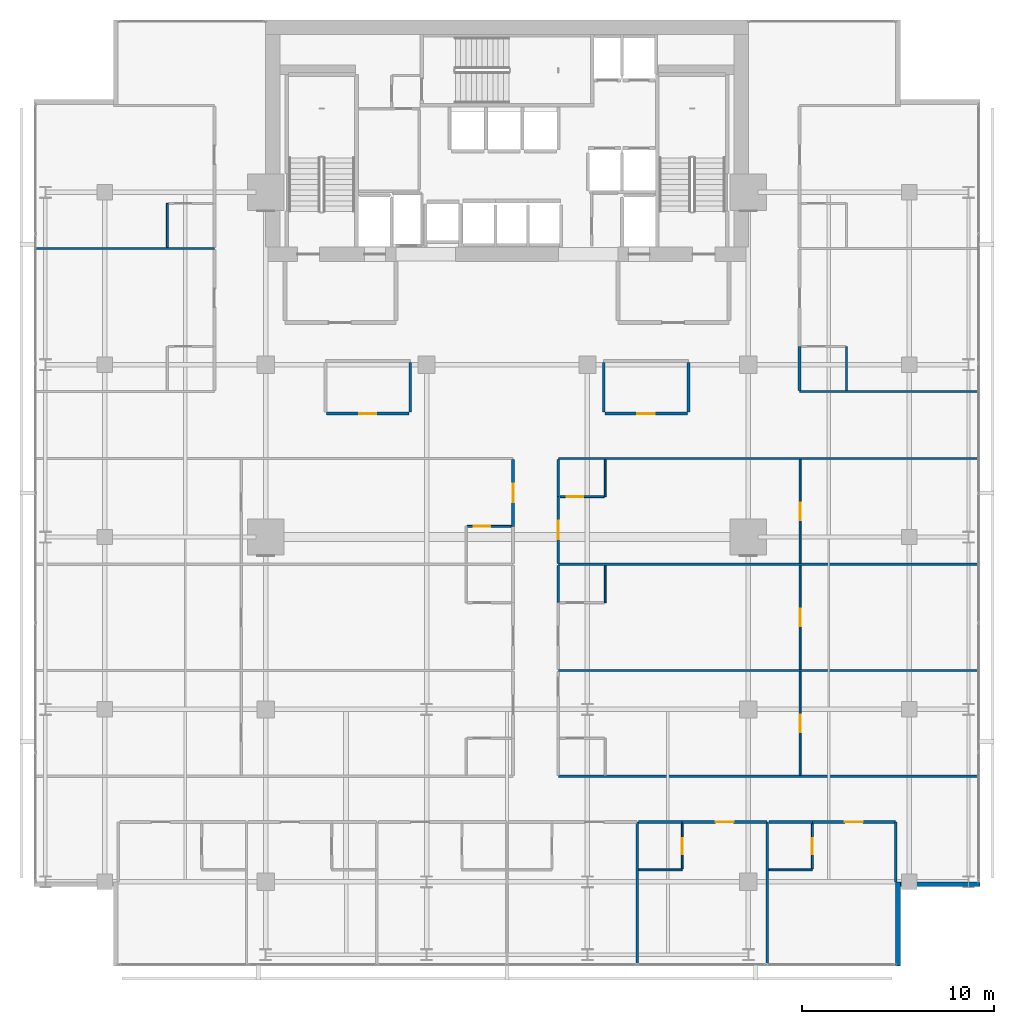
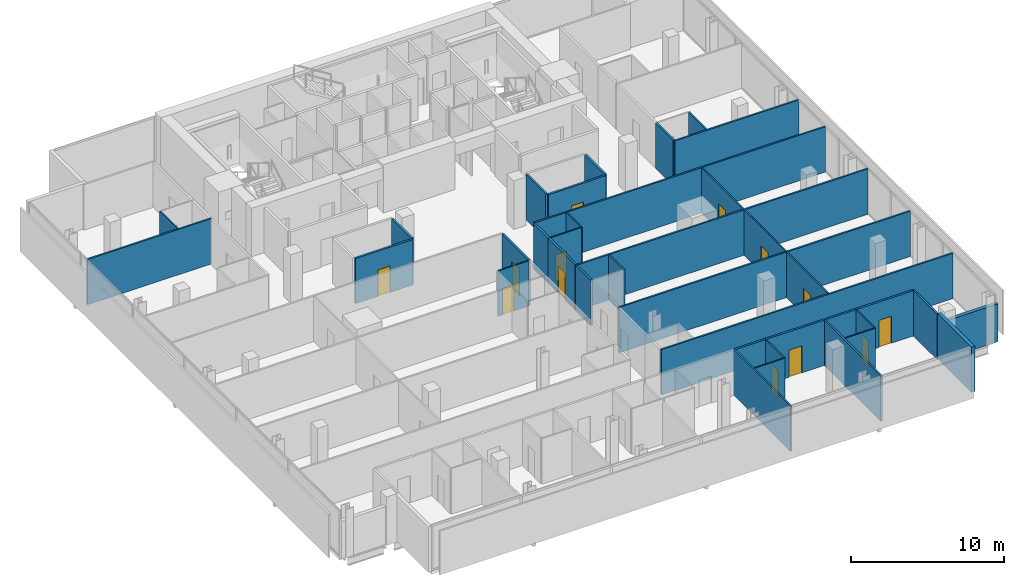
# One storey, part 28 of 33: 38 walls, 13 doors, 13 openings.
"""IFC4 building model written with IfcOpenShell, lengths in metres."""

from ifc_helpers import new_model, si_unit, direction, frame, frame_2d, origin, place, context, subcontext, project, spatial, rectangle, extrude, material, layer, layer_set, type_object, element, fill, save


model = new_model("IFC4")

# Units and contexts
model_context = context("Model", 3, precision=1e-05, world=origin(), true_north=direction((0.0, 1.0)))
body_context = subcontext(model_context, "Body", "Model", "MODEL_VIEW")
ifc_project = project(units=[si_unit("LENGTHUNIT", "METRE"), si_unit("AREAUNIT", "SQUARE_METRE"), si_unit("VOLUMEUNIT", "CUBIC_METRE"), si_unit("PLANEANGLEUNIT", "RADIAN"), si_unit("MASSUNIT", "GRAM", prefix="KILO")], contexts=[model_context])

# Site, building, storey
site_placement = place(None, origin())
site = spatial("IfcSite", under=ifc_project, at=site_placement, CompositionType="ELEMENT")
building_placement = place(site_placement, origin())
building = spatial("IfcBuilding", under=site, at=building_placement, Name="Maruvema Waterfront Hotel and Observation Tower", CompositionType="ELEMENT")
storey_placement = place(building_placement, frame((0.0, 0.0, 154.35009765625)))
storey = spatial("IfcBuildingStorey", under=building, at=storey_placement, Name="L37", CompositionType="ELEMENT", Elevation=154.35009765625)

# Wall
ifc_material_1 = material(Name="Twin-stud acoustic gypsum drywall", Category="gypsum")
ifc_layer_1 = layer(ifc_material_1, 0.14990234375, Name="Acoustic Corridor and Suite Demising Wall 150 mm")
ifc_layer_set_1 = layer_set([ifc_layer_1], Name="Twin-stud acoustic gypsum drywall")
wall_type_1 = type_object("IfcWallType", Name="Acoustic Corridor and Suite Demising Wall 150 mm", PredefinedType="PARTITIONING", material=ifc_layer_set_1)
wall_1_placement = place(storey_placement, frame((32.75, 33.530029296875, 0.0), z_axis=(0.0, 0.0, 1.0), x_axis=(0.0, 1.0, 0.0)))
element("IfcWall", 1, at=wall_1_placement, inside=storey, type_object=wall_type_1, Name="L37 L37-M1 East Wall 019", PredefinedType="PARTITIONING", context=body_context, shape_type="SweptSolid", body=[
    extrude(rectangle(XDim=2.590087890625, YDim=0.14990234375, at=frame_2d((1.294921875, 0.0))), origin(), (0.0, 0.0, 1.0), 3.60986328125),
])

# Wall, opening, door
wall_2_placement = place(storey_placement, frame((28.3798828125, 33.449951171875, 0.0), z_axis=(0.0, 0.0, 1.0), x_axis=(1.0, 0.0, 0.0)))
wall_2 = element("IfcWall", 2, at=wall_2_placement, inside=storey, type_object=wall_type_1, Name="L37 L37-M1 Front 1 020", PredefinedType="PARTITIONING", context=body_context, shape_type="SweptSolid", body=[
    extrude(rectangle(XDim=4.31005859375, YDim=0.14990234375, at=frame_2d((2.155029296875, 0.0))), origin(), (0.0, 0.0, 1.0), 3.60986328125),
])
opening_1_placement = place(wall_2_placement, frame((1.705078125, 0.0, 0.0)))
opening_1 = element("IfcOpeningElement", 3, at=opening_1_placement, cuts=wall_2, Name="Opening DR-090", PredefinedType="OPENING", context=body_context, shape_type="SweptSolid", body=[
    extrude(rectangle(XDim=0.89990234375, YDim=2.10009765625, at=frame_2d((0.449951171875, 1.050048828125))), frame((0.0, 0.0849609375, 0.0), z_axis=(0.0, -1.0, 0.0), x_axis=(1.0, 0.0, 0.0)), (0.0, 0.0, 1.0), 0.169921875),
])
ifc_material_2 = material(Name="Solid-core lacquered timber leaf", Category="wood")
door_type_1 = type_object("IfcDoorType", Name="Accessible Toilet and Room Door 900x2100 mm", OperationType="NOTDEFINED", PredefinedType="DOOR", material=ifc_material_2)
door_1_placement = place(opening_1_placement, frame((0.89990234375, 0.0, 0.0), z_axis=(0.0, 0.0, 1.0), x_axis=(-1.0, 0.0, 0.0)))
door_1 = element("IfcDoor", 4, at=door_1_placement, inside=storey, type_object=door_type_1, Name="L37 Study Office 1 Door", OperationType="SINGLE_SWING_LEFT", OverallHeight=2.10009765625, OverallWidth=0.89990234375, PredefinedType="DOOR", context=body_context, shape_type="SweptSolid", body=[
    extrude(rectangle(XDim=0.89990234375, YDim=2.10009765625, at=frame_2d((0.449951171875, 1.050048828125))), frame((0.0, 0.02490234375, 0.0), z_axis=(0.0, -1.0, 0.0), x_axis=(1.0, 0.0, 0.0)), (0.0, 0.0, 1.0), 0.050048828125),
])
fill(opening_1, door_1)

# Walls
for number, where, z_axis, x_axis, name in (
    (5, (42.85009765625, 33.530029296875, 0.0), (0.0, 0.0, 1.0), (0.0, 1.0, 0.0), "L37 L37-M2 West Wall 022"),
    (6, (47.280029296875, 33.530029296875, 0.0), (0.0, 0.0, 1.0), (0.0, 1.0, 0.0), "L37 L37-M2 East Wall 023"),
):
    element("IfcWall", number, at=place(storey_placement, frame(where, z_axis=z_axis, x_axis=x_axis)), inside=storey, type_object=wall_type_1, Name=name, PredefinedType="PARTITIONING", context=body_context, shape_type="SweptSolid", body=[
        extrude(rectangle(XDim=2.590087890625, YDim=0.14990234375, at=frame_2d((1.294921875, 0.0))), origin(), (0.0, 0.0, 1.0), 3.60986328125),
    ])

# Wall, opening, door
wall_3_placement = place(storey_placement, frame((42.909912109375, 33.449951171875, 0.0), z_axis=(0.0, 0.0, 1.0), x_axis=(1.0, 0.0, 0.0)))
wall_3 = element("IfcWall", 7, at=wall_3_placement, inside=storey, type_object=wall_type_1, Name="L37 L37-M2 Front 1 024", PredefinedType="PARTITIONING", context=body_context, shape_type="SweptSolid", body=[
    extrude(rectangle(XDim=4.31005859375, YDim=0.14990234375, at=frame_2d((2.155029296875, 0.0))), origin(), (0.0, 0.0, 1.0), 3.60986328125),
])
opening_2_placement = place(wall_3_placement, frame((1.705078125, 0.0, 0.0)))
opening_2 = element("IfcOpeningElement", 8, at=opening_2_placement, cuts=wall_3, Name="Opening DR-090", PredefinedType="OPENING", context=body_context, shape_type="SweptSolid", body=[
    extrude(rectangle(XDim=0.89990234375, YDim=2.10009765625, at=frame_2d((0.449951171875, 1.050048828125))), frame((0.0, 0.0849609375, 0.0), z_axis=(0.0, -1.0, 0.0), x_axis=(1.0, 0.0, 0.0)), (0.0, 0.0, 1.0), 0.169921875),
])
door_2_placement = place(opening_2_placement, frame((0.89990234375, 0.0, 0.0), z_axis=(0.0, 0.0, 1.0), x_axis=(-1.0, 0.0, 0.0)))
door_2 = element("IfcDoor", 9, at=door_2_placement, inside=storey, type_object=door_type_1, Name="L37 Tea Kitchenette Door", OperationType="SINGLE_SWING_RIGHT", OverallHeight=2.10009765625, OverallWidth=0.89990234375, PredefinedType="DOOR", context=body_context, shape_type="SweptSolid", body=[
    extrude(rectangle(XDim=0.89990234375, YDim=2.10009765625, at=frame_2d((0.449951171875, 1.050048828125))), frame((0.0, 0.02490234375, 0.0), z_axis=(0.0, -1.0, 0.0), x_axis=(1.0, 0.0, 0.0)), (0.0, 0.0, 1.0), 0.050048828125),
])
fill(opening_2, door_2)

# Wall
wall_4_placement = place(storey_placement, frame((44.679931640625, 12.1201171875, 0.0), z_axis=(0.0, 0.0, 1.0), x_axis=(1.0, 0.0, 0.0)))
element("IfcWall", 10, at=wall_4_placement, inside=storey, type_object=wall_type_1, Name="L37 Bath L37-S5 Back Wall 047", PredefinedType="PARTITIONING", context=body_context, shape_type="SweptSolid", body=[
    extrude(rectangle(XDim=2.27001953125, YDim=0.14990234375, at=frame_2d((1.135009765625, 0.0))), origin(), (0.0, 0.0, 1.0), 3.60986328125),
])

# Wall, opening, door
wall_5_placement = place(storey_placement, frame((46.949951171875, 12.1201171875, 0.0), z_axis=(0.0, 0.0, 1.0), x_axis=(1.0, 0.0, 0.0)))
wall_5 = element("IfcWall", 11, at=wall_5_placement, inside=storey, type_object=wall_type_1, Name="L37 Unit L37-S5 Corridor Wall 050", PredefinedType="PARTITIONING", context=body_context, shape_type="SweptSolid", body=[
    extrude(rectangle(XDim=4.429931640625, YDim=0.14990234375, at=frame_2d((2.21484375, 0.0))), origin(), (0.0, 0.0, 1.0), 3.60986328125),
])
opening_3_placement = place(wall_5_placement, frame((1.739990234375, 0.0, 0.0)))
opening_3 = element("IfcOpeningElement", 12, at=opening_3_placement, cuts=wall_5, Name="Opening DR-095", PredefinedType="OPENING", context=body_context, shape_type="SweptSolid", body=[
    extrude(rectangle(XDim=0.949951171875, YDim=2.14990234375, at=frame_2d((0.47509765625, 1.074951171875))), frame((0.0, 0.0849609375, 0.0), z_axis=(0.0, -1.0, 0.0), x_axis=(1.0, 0.0, 0.0)), (0.0, 0.0, 1.0), 0.169921875),
])
ifc_material_3 = material(Name="Acoustic solid-core hardwood timber leaf", Category="wood")
door_type_2 = type_object("IfcDoorType", Name="Guestroom Entrance Fire Door 950x2150 mm", OperationType="NOTDEFINED", PredefinedType="DOOR", material=ifc_material_3)
door_3_placement = place(opening_3_placement, frame((0.949951171875, 0.0, 0.0), z_axis=(0.0, 0.0, 1.0), x_axis=(-1.0, 0.0, 0.0)))
door_3 = element("IfcDoor", 13, at=door_3_placement, inside=storey, type_object=door_type_2, Name="L37 Unit L37-S5 Entrance Door", OperationType="SINGLE_SWING_RIGHT", OverallHeight=2.14990234375, OverallWidth=0.949951171875, PredefinedType="DOOR", context=body_context, shape_type="SweptSolid", body=[
    extrude(rectangle(XDim=0.949951171875, YDim=2.14990234375, at=frame_2d((0.47509765625, 1.074951171875))), frame((0.0, 0.02490234375, 0.0), z_axis=(0.0, -1.0, 0.0), x_axis=(1.0, 0.0, 0.0)), (0.0, 0.0, 1.0), 0.050048828125),
])
fill(opening_3, door_3)

# Wall
wall_6_placement = place(storey_placement, frame((51.47998046875, 12.1201171875, 0.0), z_axis=(0.0, 0.0, 1.0), x_axis=(1.0, 0.0, 0.0)))
element("IfcWall", 14, at=wall_6_placement, inside=storey, type_object=wall_type_1, Name="L37 Bath L37-S6 Back Wall 052", PredefinedType="PARTITIONING", context=body_context, shape_type="SweptSolid", body=[
    extrude(rectangle(XDim=2.27001953125, YDim=0.14990234375, at=frame_2d((1.135009765625, 0.0))), origin(), (0.0, 0.0, 1.0), 3.60986328125),
])

# Wall, opening, door
wall_7_placement = place(storey_placement, frame((53.75, 12.1201171875, 0.0), z_axis=(0.0, 0.0, 1.0), x_axis=(1.0, 0.0, 0.0)))
wall_7 = element("IfcWall", 15, at=wall_7_placement, inside=storey, type_object=wall_type_1, Name="L37 Unit L37-S6 Corridor Wall 055", PredefinedType="PARTITIONING", context=body_context, shape_type="SweptSolid", body=[
    extrude(rectangle(XDim=4.330078125, YDim=0.14990234375, at=frame_2d((2.1650390625, 0.0))), origin(), (0.0, 0.0, 1.0), 3.60986328125),
])
opening_4_placement = place(wall_7_placement, frame((1.68994140625, 0.0, 0.0)))
opening_4 = element("IfcOpeningElement", 16, at=opening_4_placement, cuts=wall_7, Name="Opening DR-095", PredefinedType="OPENING", context=body_context, shape_type="SweptSolid", body=[
    extrude(rectangle(XDim=0.949951171875, YDim=2.14990234375, at=frame_2d((0.47509765625, 1.074951171875))), frame((0.0, 0.0849609375, 0.0), z_axis=(0.0, -1.0, 0.0), x_axis=(1.0, 0.0, 0.0)), (0.0, 0.0, 1.0), 0.169921875),
])
door_4_placement = place(opening_4_placement, frame((0.949951171875, 0.0, 0.0), z_axis=(0.0, 0.0, 1.0), x_axis=(-1.0, 0.0, 0.0)))
door_4 = element("IfcDoor", 17, at=door_4_placement, inside=storey, type_object=door_type_2, Name="L37 Unit L37-S6 Entrance Door", OperationType="SINGLE_SWING_RIGHT", OverallHeight=2.14990234375, OverallWidth=0.949951171875, PredefinedType="DOOR", context=body_context, shape_type="SweptSolid", body=[
    extrude(rectangle(XDim=0.949951171875, YDim=2.14990234375, at=frame_2d((0.47509765625, 1.074951171875))), frame((0.0, 0.02490234375, 0.0), z_axis=(0.0, -1.0, 0.0), x_axis=(1.0, 0.0, 0.0)), (0.0, 0.0, 1.0), 0.050048828125),
])
fill(opening_4, door_4)

# Wall
wall_8_placement = place(storey_placement, frame((40.47998046875, 23.580078125, 0.0), z_axis=(0.0, 0.0, 1.0), x_axis=(0.0, 1.0, 0.0)))
element("IfcWall", 18, at=wall_8_placement, inside=storey, type_object=wall_type_1, Name="L37 Bath L37-E2 Wall 078", PredefinedType="PARTITIONING", context=body_context, shape_type="SweptSolid", body=[
    extrude(rectangle(XDim=1.929931640625, YDim=0.14990234375, at=frame_2d((0.96484375, 0.0))), origin(), (0.0, 0.0, 1.0), 3.60986328125),
])

# Wall, opening, door
wall_9_placement = place(storey_placement, frame((38.1201171875, 27.56005859375, 0.0), z_axis=(0.0, 0.0, 1.0), x_axis=(0.0, 1.0, 0.0)))
wall_9 = element("IfcWall", 19, at=wall_9_placement, inside=storey, type_object=wall_type_1, Name="L37 Room L37-W3 Corridor Wall 085", PredefinedType="PARTITIONING", context=body_context, shape_type="SweptSolid", body=[
    extrude(rectangle(XDim=3.47998046875, YDim=0.14990234375, at=frame_2d((1.739990234375, 0.0))), origin(), (0.0, 0.0, 1.0), 3.60986328125),
])
opening_5_placement = place(wall_9_placement, frame((1.264892578125, 0.0, 0.0)))
opening_5 = element("IfcOpeningElement", 20, at=opening_5_placement, cuts=wall_9, Name="Opening DR-095", PredefinedType="OPENING", context=body_context, shape_type="SweptSolid", body=[
    extrude(rectangle(XDim=0.949951171875, YDim=2.14990234375, at=frame_2d((0.47509765625, 1.074951171875))), frame((0.0, 0.0849609375, 0.0), z_axis=(0.0, -1.0, 0.0), x_axis=(1.0, 0.0, 0.0)), (0.0, 0.0, 1.0), 0.169921875),
])
door_5_placement = place(opening_5_placement, origin())
door_5 = element("IfcDoor", 21, at=door_5_placement, inside=storey, type_object=door_type_2, Name="L37 Room L37-W3 Entrance Door", OperationType="SINGLE_SWING_RIGHT", OverallHeight=2.14990234375, OverallWidth=0.949951171875, PredefinedType="DOOR", context=body_context, shape_type="SweptSolid", body=[
    extrude(rectangle(XDim=0.949951171875, YDim=2.14990234375, at=frame_2d((0.47509765625, 1.074951171875))), frame((0.0, 0.02490234375, 0.0), z_axis=(0.0, -1.0, 0.0), x_axis=(1.0, 0.0, 0.0)), (0.0, 0.0, 1.0), 0.050048828125),
])
fill(opening_5, door_5)

wall_10_placement = place(storey_placement, frame((40.47998046875, 25.6298828125, 0.0), z_axis=(0.0, 0.0, 1.0), x_axis=(0.0, 1.0, 0.0)))
wall_10 = element("IfcWall", 22, at=wall_10_placement, inside=storey, type_object=wall_type_1, Name="L37 Room L37-E3 Corridor Wall 089", PredefinedType="PARTITIONING", context=body_context, shape_type="SweptSolid", body=[
    extrude(rectangle(XDim=3.480224609375, YDim=0.14990234375, at=frame_2d((1.740234375, 0.0))), origin(), (0.0, 0.0, 1.0), 3.60986328125),
])
opening_6_placement = place(wall_10_placement, frame((1.264892578125, 0.0, 0.0)))
opening_6 = element("IfcOpeningElement", 23, at=opening_6_placement, cuts=wall_10, Name="Opening DR-095", PredefinedType="OPENING", context=body_context, shape_type="SweptSolid", body=[
    extrude(rectangle(XDim=0.949951171875, YDim=2.14990234375, at=frame_2d((0.47509765625, 1.074951171875))), frame((0.0, 0.0849609375, 0.0), z_axis=(0.0, -1.0, 0.0), x_axis=(1.0, 0.0, 0.0)), (0.0, 0.0, 1.0), 0.169921875),
])
door_6_placement = place(opening_6_placement, frame((0.949951171875, 0.0, 0.0), z_axis=(0.0, 0.0, 1.0), x_axis=(-1.0, 0.0, 0.0)))
door_6 = element("IfcDoor", 24, at=door_6_placement, inside=storey, type_object=door_type_2, Name="L37 Room L37-E3 Entrance Door", OperationType="SINGLE_SWING_LEFT", OverallHeight=2.14990234375, OverallWidth=0.949951171875, PredefinedType="DOOR", context=body_context, shape_type="SweptSolid", body=[
    extrude(rectangle(XDim=0.949951171875, YDim=2.14990234375, at=frame_2d((0.47509765625, 1.074951171875))), frame((0.0, 0.02490234375, 0.0), z_axis=(0.0, -1.0, 0.0), x_axis=(1.0, 0.0, 0.0)), (0.0, 0.0, 1.0), 0.050048828125),
])
fill(opening_6, door_6)

# Walls
wall_11_placement = place(storey_placement, frame((40.47998046875, 29.110107421875, 0.0), z_axis=(0.0, 0.0, 1.0), x_axis=(0.0, 1.0, 0.0)))
element("IfcWall", 25, at=wall_11_placement, inside=storey, type_object=wall_type_1, Name="L37 Bath L37-E3 Wall 090", PredefinedType="PARTITIONING", context=body_context, shape_type="SweptSolid", body=[
    extrude(rectangle(XDim=1.929931640625, YDim=0.14990234375, at=frame_2d((0.96484375, 0.0))), origin(), (0.0, 0.0, 1.0), 3.60986328125),
])
wall_12_placement = place(storey_placement, frame((53.080078125, 34.659912109375, 0.0), z_axis=(0.0, 0.0, 1.0), x_axis=(0.0, 1.0, 0.0)))
element("IfcWall", 26, at=wall_12_placement, inside=storey, type_object=wall_type_1, Name="L37 Bath L37-NE1 Wall 102", PredefinedType="PARTITIONING", context=body_context, shape_type="SweptSolid", body=[
    extrude(rectangle(XDim=2.2900390625, YDim=0.14990234375, at=frame_2d((1.14501953125, 0.0))), origin(), (0.0, 0.0, 1.0), 3.60986328125),
])
ifc_material_4 = material(Name="Moisture-resistant cement-board drywall", Category="gypsum")
ifc_layer_2 = layer(ifc_material_4, 0.10009765625, Name="En-Suite Moisture-Resistant Partition 100 mm")
ifc_layer_set_2 = layer_set([ifc_layer_2], Name="Moisture-resistant cement-board drywall")
wall_type_2 = type_object("IfcWallType", Name="En-Suite Moisture-Resistant Partition 100 mm", PredefinedType="PARTITIONING", material=ifc_layer_set_2)
wall_13_placement = place(storey_placement, frame((44.679931640625, 9.6201171875, 0.0), z_axis=(0.0, 0.0, 1.0), x_axis=(1.0, 0.0, 0.0)))
element("IfcWall", 27, at=wall_13_placement, inside=storey, type_object=wall_type_2, Name="L37 En-Suite L37-S5 South 048", PredefinedType="PARTITIONING", context=body_context, shape_type="SweptSolid", body=[
    extrude(rectangle(XDim=2.27001953125, YDim=0.10009765625, at=frame_2d((1.135009765625, 0.0))), origin(), (0.0, 0.0, 1.0), 3.60986328125),
])

# Wall, opening, door
wall_14_placement = place(storey_placement, frame((46.949951171875, 9.679931640625, 0.0), z_axis=(0.0, 0.0, 1.0), x_axis=(0.0, 1.0, 0.0)))
wall_14 = element("IfcWall", 28, at=wall_14_placement, inside=storey, type_object=wall_type_2, Name="L37 En-Suite L37-S5 East 049", PredefinedType="PARTITIONING", context=body_context, shape_type="SweptSolid", body=[
    extrude(rectangle(XDim=2.340087890625, YDim=0.10009765625, at=frame_2d((1.169921875, 0.0))), origin(), (0.0, 0.0, 1.0), 3.60986328125),
])
opening_7_placement = place(wall_14_placement, frame((0.7451171875, 0.0, 0.0)))
opening_7 = element("IfcOpeningElement", 29, at=opening_7_placement, cuts=wall_14, Name="Opening DR-085", PredefinedType="OPENING", context=body_context, shape_type="SweptSolid", body=[
    extrude(rectangle(XDim=0.85009765625, YDim=2.10009765625, at=frame_2d((0.425048828125, 1.050048828125))), frame((0.0, 0.06005859375, 0.0), z_axis=(0.0, -1.0, 0.0), x_axis=(1.0, 0.0, 0.0)), (0.0, 0.0, 1.0), 0.1201171875),
])
ifc_material_5 = material(Name="Moisture-resistant solid timber leaf", Category="wood")
door_type_3 = type_object("IfcDoorType", Name="En-Suite Bathroom Door 850x2100 mm", OperationType="NOTDEFINED", PredefinedType="DOOR", material=ifc_material_5)
door_7_placement = place(opening_7_placement, frame((0.85009765625, 0.0, 0.0), z_axis=(0.0, 0.0, 1.0), x_axis=(-1.0, 0.0, 0.0)))
door_7 = element("IfcDoor", 30, at=door_7_placement, inside=storey, type_object=door_type_3, Name="L37 En-Suite L37-S5 Door", OperationType="SINGLE_SWING_LEFT", OverallHeight=2.10009765625, OverallWidth=0.85009765625, PredefinedType="DOOR", context=body_context, shape_type="SweptSolid", body=[
    extrude(rectangle(XDim=0.85009765625, YDim=2.10009765625, at=frame_2d((0.425048828125, 1.050048828125))), frame((0.0, 0.02490234375, 0.0), z_axis=(0.0, -1.0, 0.0), x_axis=(1.0, 0.0, 0.0)), (0.0, 0.0, 1.0), 0.050048828125),
])
fill(opening_7, door_7)

# Wall
wall_15_placement = place(storey_placement, frame((51.47998046875, 9.6201171875, 0.0), z_axis=(0.0, 0.0, 1.0), x_axis=(1.0, 0.0, 0.0)))
element("IfcWall", 31, at=wall_15_placement, inside=storey, type_object=wall_type_2, Name="L37 En-Suite L37-S6 South 053", PredefinedType="PARTITIONING", context=body_context, shape_type="SweptSolid", body=[
    extrude(rectangle(XDim=2.27001953125, YDim=0.10009765625, at=frame_2d((1.135009765625, 0.0))), origin(), (0.0, 0.0, 1.0), 3.60986328125),
])

# Wall, opening, door
wall_16_placement = place(storey_placement, frame((53.75, 9.679931640625, 0.0), z_axis=(0.0, 0.0, 1.0), x_axis=(0.0, 1.0, 0.0)))
wall_16 = element("IfcWall", 32, at=wall_16_placement, inside=storey, type_object=wall_type_2, Name="L37 En-Suite L37-S6 East 054", PredefinedType="PARTITIONING", context=body_context, shape_type="SweptSolid", body=[
    extrude(rectangle(XDim=2.340087890625, YDim=0.10009765625, at=frame_2d((1.169921875, 0.0))), origin(), (0.0, 0.0, 1.0), 3.60986328125),
])
opening_8_placement = place(wall_16_placement, frame((0.7451171875, 0.0, 0.0)))
opening_8 = element("IfcOpeningElement", 33, at=opening_8_placement, cuts=wall_16, Name="Opening DR-085", PredefinedType="OPENING", context=body_context, shape_type="SweptSolid", body=[
    extrude(rectangle(XDim=0.85009765625, YDim=2.10009765625, at=frame_2d((0.425048828125, 1.050048828125))), frame((0.0, 0.06005859375, 0.0), z_axis=(0.0, -1.0, 0.0), x_axis=(1.0, 0.0, 0.0)), (0.0, 0.0, 1.0), 0.1201171875),
])
door_8_placement = place(opening_8_placement, frame((0.85009765625, 0.0, 0.0), z_axis=(0.0, 0.0, 1.0), x_axis=(-1.0, 0.0, 0.0)))
door_8 = element("IfcDoor", 34, at=door_8_placement, inside=storey, type_object=door_type_3, Name="L37 En-Suite L37-S6 Door", OperationType="SINGLE_SWING_LEFT", OverallHeight=2.10009765625, OverallWidth=0.85009765625, PredefinedType="DOOR", context=body_context, shape_type="SweptSolid", body=[
    extrude(rectangle(XDim=0.85009765625, YDim=2.10009765625, at=frame_2d((0.425048828125, 1.050048828125))), frame((0.0, 0.02490234375, 0.0), z_axis=(0.0, -1.0, 0.0), x_axis=(1.0, 0.0, 0.0)), (0.0, 0.0, 1.0), 0.050048828125),
])
fill(opening_8, door_8)

wall_17_placement = place(storey_placement, frame((53.1064453125, 14.56005859375, 0.0), z_axis=(0.0, 0.0, 1.0), x_axis=(0.0, 1.0, 0.0)))
wall_17 = element("IfcWall", 35, at=wall_17_placement, inside=storey, type_object=wall_type_2, Name="L37 Suite L37-E1 Split 069", PredefinedType="PARTITIONING", context=body_context, shape_type="SweptSolid", body=[
    extrude(rectangle(XDim=5.409912109375, YDim=0.10009765625, at=frame_2d((2.705078125, 0.0))), origin(), (0.0, 0.0, 1.0), 3.60986328125),
])
opening_9_placement = place(wall_17_placement, frame((2.2548828125, 0.0, 0.0)))
opening_9 = element("IfcOpeningElement", 36, at=opening_9_placement, cuts=wall_17, Name="Opening DR-090", PredefinedType="OPENING", context=body_context, shape_type="SweptSolid", body=[
    extrude(rectangle(XDim=0.89990234375, YDim=2.10009765625, at=frame_2d((0.449951171875, 1.050048828125))), frame((0.0, 0.06005859375, 0.0), z_axis=(0.0, -1.0, 0.0), x_axis=(1.0, 0.0, 0.0)), (0.0, 0.0, 1.0), 0.1201171875),
])
door_9_placement = place(opening_9_placement, frame((0.89990234375, 0.0, 0.0), z_axis=(0.0, 0.0, 1.0), x_axis=(-1.0, 0.0, 0.0)))
door_9 = element("IfcDoor", 37, at=door_9_placement, inside=storey, type_object=door_type_1, Name="L37 Suite L37-E1 Bedroom Door", OperationType="SINGLE_SWING_RIGHT", OverallHeight=2.10009765625, OverallWidth=0.89990234375, PredefinedType="DOOR", context=body_context, shape_type="SweptSolid", body=[
    extrude(rectangle(XDim=0.89990234375, YDim=2.10009765625, at=frame_2d((0.449951171875, 1.050048828125))), frame((0.0, 0.02490234375, 0.0), z_axis=(0.0, -1.0, 0.0), x_axis=(1.0, 0.0, 0.0)), (0.0, 0.0, 1.0), 0.050048828125),
])
fill(opening_9, door_9)

# Wall
wall_18_placement = place(storey_placement, frame((42.929931640625, 23.580078125, 0.0), z_axis=(0.0, 0.0, 1.0), x_axis=(0.0, 1.0, 0.0)))
element("IfcWall", 38, at=wall_18_placement, inside=storey, type_object=wall_type_2, Name="L37 En-Suite L37-E2 E 079", PredefinedType="PARTITIONING", context=body_context, shape_type="SweptSolid", body=[
    extrude(rectangle(XDim=1.929931640625, YDim=0.10009765625, at=frame_2d((0.96484375, 0.0))), origin(), (0.0, 0.0, 1.0), 3.60986328125),
])

# Wall, opening, door
wall_19_placement = place(storey_placement, frame((53.1064453125, 20.090087890625, 0.0), z_axis=(0.0, 0.0, 1.0), x_axis=(0.0, 1.0, 0.0)))
wall_19 = element("IfcWall", 39, at=wall_19_placement, inside=storey, type_object=wall_type_2, Name="L37 Suite L37-E2 Split 081", PredefinedType="PARTITIONING", context=body_context, shape_type="SweptSolid", body=[
    extrude(rectangle(XDim=5.419921875, YDim=0.10009765625, at=frame_2d((2.7099609375, 0.0))), origin(), (0.0, 0.0, 1.0), 3.60986328125),
])
opening_10_placement = place(wall_19_placement, frame((2.260009765625, 0.0, 0.0)))
opening_10 = element("IfcOpeningElement", 40, at=opening_10_placement, cuts=wall_19, Name="Opening DR-090", PredefinedType="OPENING", context=body_context, shape_type="SweptSolid", body=[
    extrude(rectangle(XDim=0.89990234375, YDim=2.10009765625, at=frame_2d((0.449951171875, 1.050048828125))), frame((0.0, 0.06005859375, 0.0), z_axis=(0.0, -1.0, 0.0), x_axis=(1.0, 0.0, 0.0)), (0.0, 0.0, 1.0), 0.1201171875),
])
door_10_placement = place(opening_10_placement, frame((0.89990234375, 0.0, 0.0), z_axis=(0.0, 0.0, 1.0), x_axis=(-1.0, 0.0, 0.0)))
door_10 = element("IfcDoor", 41, at=door_10_placement, inside=storey, type_object=door_type_1, Name="L37 Suite L37-E2 Bedroom Door", OperationType="SINGLE_SWING_RIGHT", OverallHeight=2.10009765625, OverallWidth=0.89990234375, PredefinedType="DOOR", context=body_context, shape_type="SweptSolid", body=[
    extrude(rectangle(XDim=0.89990234375, YDim=2.10009765625, at=frame_2d((0.449951171875, 1.050048828125))), frame((0.0, 0.02490234375, 0.0), z_axis=(0.0, -1.0, 0.0), x_axis=(1.0, 0.0, 0.0)), (0.0, 0.0, 1.0), 0.050048828125),
])
fill(opening_10, door_10)

wall_20_placement = place(storey_placement, frame((35.719970703125, 27.56005859375, 0.0), z_axis=(0.0, 0.0, 1.0), x_axis=(1.0, 0.0, 0.0)))
wall_20 = element("IfcWall", 42, at=wall_20_placement, inside=storey, type_object=wall_type_2, Name="L37 En-Suite L37-W3 N 087", PredefinedType="PARTITIONING", context=body_context, shape_type="SweptSolid", body=[
    extrude(rectangle(XDim=2.300048828125, YDim=0.10009765625, at=frame_2d((1.14990234375, 0.0))), origin(), (0.0, 0.0, 1.0), 3.60986328125),
])
opening_11_placement = place(wall_20_placement, frame((0.35009765625, 0.0, 0.0)))
opening_11 = element("IfcOpeningElement", 43, at=opening_11_placement, cuts=wall_20, Name="Opening DR-085", PredefinedType="OPENING", context=body_context, shape_type="SweptSolid", body=[
    extrude(rectangle(XDim=0.85009765625, YDim=2.10009765625, at=frame_2d((0.425048828125, 1.050048828125))), frame((0.0, 0.06005859375, 0.0), z_axis=(0.0, -1.0, 0.0), x_axis=(1.0, 0.0, 0.0)), (0.0, 0.0, 1.0), 0.1201171875),
])
door_11_placement = place(opening_11_placement, origin())
door_11 = element("IfcDoor", 44, at=door_11_placement, inside=storey, type_object=door_type_3, Name="L37 En-Suite L37-W3 Door", OperationType="SINGLE_SWING_LEFT", OverallHeight=2.10009765625, OverallWidth=0.85009765625, PredefinedType="DOOR", context=body_context, shape_type="SweptSolid", body=[
    extrude(rectangle(XDim=0.85009765625, YDim=2.10009765625, at=frame_2d((0.425048828125, 1.050048828125))), frame((0.0, 0.02490234375, 0.0), z_axis=(0.0, -1.0, 0.0), x_axis=(1.0, 0.0, 0.0)), (0.0, 0.0, 1.0), 0.050048828125),
])
fill(opening_11, door_11)

# Wall
wall_21_placement = place(storey_placement, frame((42.929931640625, 29.110107421875, 0.0), z_axis=(0.0, 0.0, 1.0), x_axis=(0.0, 1.0, 0.0)))
element("IfcWall", 45, at=wall_21_placement, inside=storey, type_object=wall_type_2, Name="L37 En-Suite L37-E3 E 091", PredefinedType="PARTITIONING", context=body_context, shape_type="SweptSolid", body=[
    extrude(rectangle(XDim=1.929931640625, YDim=0.10009765625, at=frame_2d((0.96484375, 0.0))), origin(), (0.0, 0.0, 1.0), 3.60986328125),
])

# Wall, opening, door
wall_22_placement = place(storey_placement, frame((40.580078125, 29.110107421875, 0.0), z_axis=(0.0, 0.0, 1.0), x_axis=(1.0, 0.0, 0.0)))
wall_22 = element("IfcWall", 46, at=wall_22_placement, inside=storey, type_object=wall_type_2, Name="L37 En-Suite L37-E3 S 092", PredefinedType="PARTITIONING", context=body_context, shape_type="SweptSolid", body=[
    extrude(rectangle(XDim=2.2998046875, YDim=0.10009765625, at=frame_2d((1.14990234375, 0.0))), origin(), (0.0, 0.0, 1.0), 3.60986328125),
])
opening_12_placement = place(wall_22_placement, frame((0.35009765625, 0.0, 0.0)))
opening_12 = element("IfcOpeningElement", 47, at=opening_12_placement, cuts=wall_22, Name="Opening DR-085", PredefinedType="OPENING", context=body_context, shape_type="SweptSolid", body=[
    extrude(rectangle(XDim=0.85009765625, YDim=2.10009765625, at=frame_2d((0.425048828125, 1.050048828125))), frame((0.0, 0.06005859375, 0.0), z_axis=(0.0, -1.0, 0.0), x_axis=(1.0, 0.0, 0.0)), (0.0, 0.0, 1.0), 0.1201171875),
])
door_12_placement = place(opening_12_placement, frame((0.85009765625, 0.0, 0.0), z_axis=(0.0, 0.0, 1.0), x_axis=(-1.0, 0.0, 0.0)))
door_12 = element("IfcDoor", 48, at=door_12_placement, inside=storey, type_object=door_type_3, Name="L37 En-Suite L37-E3 Door", OperationType="SINGLE_SWING_RIGHT", OverallHeight=2.10009765625, OverallWidth=0.85009765625, PredefinedType="DOOR", context=body_context, shape_type="SweptSolid", body=[
    extrude(rectangle(XDim=0.85009765625, YDim=2.10009765625, at=frame_2d((0.425048828125, 1.050048828125))), frame((0.0, 0.02490234375, 0.0), z_axis=(0.0, -1.0, 0.0), x_axis=(1.0, 0.0, 0.0)), (0.0, 0.0, 1.0), 0.050048828125),
])
fill(opening_12, door_12)

wall_23_placement = place(storey_placement, frame((53.1064453125, 25.6298828125, 0.0), z_axis=(0.0, 0.0, 1.0), x_axis=(0.0, 1.0, 0.0)))
wall_23 = element("IfcWall", 49, at=wall_23_placement, inside=storey, type_object=wall_type_2, Name="L37 Suite L37-E3 Split 093", PredefinedType="PARTITIONING", context=body_context, shape_type="SweptSolid", body=[
    extrude(rectangle(XDim=5.41015625, YDim=0.10009765625, at=frame_2d((2.705078125, 0.0))), origin(), (0.0, 0.0, 1.0), 3.60986328125),
])
opening_13_placement = place(wall_23_placement, frame((2.2548828125, 0.0, 0.0)))
opening_13 = element("IfcOpeningElement", 50, at=opening_13_placement, cuts=wall_23, Name="Opening DR-090", PredefinedType="OPENING", context=body_context, shape_type="SweptSolid", body=[
    extrude(rectangle(XDim=0.89990234375, YDim=2.10009765625, at=frame_2d((0.449951171875, 1.050048828125))), frame((0.0, 0.06005859375, 0.0), z_axis=(0.0, -1.0, 0.0), x_axis=(1.0, 0.0, 0.0)), (0.0, 0.0, 1.0), 0.1201171875),
])
door_13_placement = place(opening_13_placement, frame((0.89990234375, 0.0, 0.0), z_axis=(0.0, 0.0, 1.0), x_axis=(-1.0, 0.0, 0.0)))
door_13 = element("IfcDoor", 51, at=door_13_placement, inside=storey, type_object=door_type_1, Name="L37 Suite L37-E3 Bedroom Door", OperationType="SINGLE_SWING_RIGHT", OverallHeight=2.10009765625, OverallWidth=0.89990234375, PredefinedType="DOOR", context=body_context, shape_type="SweptSolid", body=[
    extrude(rectangle(XDim=0.89990234375, YDim=2.10009765625, at=frame_2d((0.449951171875, 1.050048828125))), frame((0.0, 0.02490234375, 0.0), z_axis=(0.0, -1.0, 0.0), x_axis=(1.0, 0.0, 0.0)), (0.0, 0.0, 1.0), 0.050048828125),
])
fill(opening_13, door_13)

# Walls
wall_24_placement = place(storey_placement, frame((55.530029296875, 34.659912109375, 0.0), z_axis=(0.0, 0.0, 1.0), x_axis=(0.0, 1.0, 0.0)))
element("IfcWall", 52, at=wall_24_placement, inside=storey, type_object=wall_type_2, Name="L37 En-Suite L37-NE1 E 104", PredefinedType="PARTITIONING", context=body_context, shape_type="SweptSolid", body=[
    extrude(rectangle(XDim=2.2900390625, YDim=0.10009765625, at=frame_2d((1.14501953125, 0.0))), origin(), (0.0, 0.0, 1.0), 3.60986328125),
])
wall_25_placement = place(storey_placement, frame((20.070068359375, 42.12890625, 0.0), z_axis=(0.0, 0.0, 1.0), x_axis=(0.0, 1.0, 0.0)))
element("IfcWall", 53, at=wall_25_placement, inside=storey, type_object=wall_type_2, Name="L37 En-Suite L37-NW2 W 110", PredefinedType="PARTITIONING", context=body_context, shape_type="SweptSolid", body=[
    extrude(rectangle(XDim=2.289794921875, YDim=0.10009765625, at=frame_2d((1.14501953125, 0.0))), origin(), (0.0, 0.0, 1.0), 3.60986328125),
])
ifc_material_6 = material(Name="Precast concrete C45/55 with honed Pernambuco granite facing", Category="masonry")
ifc_layer_3 = layer(ifc_material_6, 0.260009765625, Name="Exterior Granite Clad Spandrel and Pier Wall 260 mm")
ifc_layer_set_3 = layer_set([ifc_layer_3], Name="Precast concrete C45/55 with honed Pernambuco granite facing")
wall_type_3 = type_object("IfcWallType", Name="Exterior Granite Clad Spandrel and Pier Wall 260 mm", PredefinedType="SOLIDWALL", material=ifc_layer_set_3)
wall_26_placement = place(storey_placement, frame((58.22998046875, 9.0, 0.0), z_axis=(0.0, 0.0, 1.0), x_axis=(0.0, -1.0, 0.0)))
element("IfcWall", 54, at=wall_26_placement, inside=storey, type_object=wall_type_3, Name="L37 Corner Notch Granite Pier Wall SE1", PredefinedType="SOLIDWALL", context=body_context, shape_type="SweptSolid", body=[
    extrude(rectangle(XDim=4.39990234375, YDim=0.260009765625, at=frame_2d((2.199951171875, 0.0))), origin(), (0.0, 0.0, 1.0), 3.60986328125),
])
wall_27_placement = place(storey_placement, frame((62.5, 8.8701171875, 0.0), z_axis=(0.0, 0.0, 1.0), x_axis=(-1.0, 0.0, 0.0)))
element("IfcWall", 55, at=wall_27_placement, inside=storey, type_object=wall_type_3, Name="L37 Corner Notch Granite Pier Wall SE2", PredefinedType="SOLIDWALL", context=body_context, shape_type="SweptSolid", body=[
    extrude(rectangle(XDim=4.39990234375, YDim=0.260009765625, at=frame_2d((2.199951171875, 0.0))), origin(), (0.0, 0.0, 1.0), 3.0068359375),
])
ifc_material_7 = material(Name="Acoustic gypsum plasterboard drywall", Category="gypsum")
ifc_layer_4 = layer(ifc_material_7, 0.125, Name="Guestroom Acoustic Demising Wall 125 mm")
ifc_layer_set_4 = layer_set([ifc_layer_4], Name="Acoustic gypsum plasterboard drywall")
wall_type_4 = type_object("IfcWallType", Name="Guestroom Acoustic Demising Wall 125 mm", PredefinedType="PARTITIONING", material=ifc_layer_set_4)
wall_28_placement = place(storey_placement, frame((58.10009765625, 9.0, 0.0), z_axis=(0.0, 0.0, 1.0), x_axis=(0.0, 1.0, 0.0)))
element("IfcWall", 56, at=wall_28_placement, inside=storey, type_object=wall_type_4, Name="L37 Z2 S East End 026", PredefinedType="PARTITIONING", context=body_context, shape_type="SweptSolid", body=[
    extrude(rectangle(XDim=3.1201171875, YDim=0.125, at=frame_2d((1.56005859375, 0.0))), origin(), (0.0, 0.0, 1.0), 3.60986328125),
])
for number, where, z_axis, x_axis, name in (
    (57, (44.60009765625, 4.699951171875, 0.0), (0.0, 0.0, 1.0), (0.0, 1.0, 0.0), "L37 Z2 S Demising 5 046"),
    (58, (51.39990234375, 4.699951171875, 0.0), (0.0, 0.0, 1.0), (0.0, 1.0, 0.0), "L37 Z2 S Demising 6 051"),
):
    element("IfcWall", number, at=place(storey_placement, frame(where, z_axis=z_axis, x_axis=x_axis)), inside=storey, type_object=wall_type_4, Name=name, PredefinedType="PARTITIONING", context=body_context, shape_type="SweptSolid", body=[
        extrude(rectangle(XDim=7.420166015625, YDim=0.125, at=frame_2d((3.7099609375, 0.0))), origin(), (0.0, 0.0, 1.0), 3.60986328125),
    ])
for number, where, z_axis, x_axis, name in (
    (59, (40.47998046875, 14.5, 0.0), (0.0, 0.0, 1.0), (1.0, 0.0, 0.0), "L37 Z2 E Bot End 057"),
    (60, (40.47998046875, 31.10009765625, 0.0), (0.0, 0.0, 1.0), (1.0, 0.0, 0.0), "L37 Z2 E Top End 059"),
    (61, (40.47998046875, 20.030029296875, 0.0), (0.0, 0.0, 1.0), (1.0, 0.0, 0.0), "L37 Z2 E Demising 2 071"),
    (62, (40.47998046875, 25.570068359375, 0.0), (0.0, 0.0, 1.0), (1.0, 0.0, 0.0), "L37 Z2 E Demising 3 083"),
):
    element("IfcWall", number, at=place(storey_placement, frame(where, z_axis=z_axis, x_axis=x_axis)), inside=storey, type_object=wall_type_4, Name=name, PredefinedType="PARTITIONING", context=body_context, shape_type="SweptSolid", body=[
        extrude(rectangle(XDim=21.919921875, YDim=0.125, at=frame_2d((10.9599609375, 0.0))), origin(), (0.0, 0.0, 1.0), 3.60986328125),
    ])
wall_29_placement = place(storey_placement, frame((53.080078125, 34.60009765625, 0.0), z_axis=(0.0, 0.0, 1.0), x_axis=(1.0, 0.0, 0.0)))
element("IfcWall", 63, at=wall_29_placement, inside=storey, type_object=wall_type_4, Name="L37 Z2 NE Bot End 095", PredefinedType="PARTITIONING", context=body_context, shape_type="SweptSolid", body=[
    extrude(rectangle(XDim=9.31982421875, YDim=0.125, at=frame_2d((4.659912109375, 0.0))), origin(), (0.0, 0.0, 1.0), 3.60986328125),
])
wall_30_placement = place(storey_placement, frame((13.199951171875, 42.06884765625, 0.0), z_axis=(0.0, 0.0, 1.0), x_axis=(1.0, 0.0, 0.0)))
element("IfcWall", 64, at=wall_30_placement, inside=storey, type_object=wall_type_4, Name="L37 Z2 NW Demising 2 106", PredefinedType="PARTITIONING", context=body_context, shape_type="SweptSolid", body=[
    extrude(rectangle(XDim=9.320068359375, YDim=0.125, at=frame_2d((4.66015625, 0.0))), origin(), (0.0, 0.0, 1.0), 3.60986328125),
])

save(model, "model.ifc")
